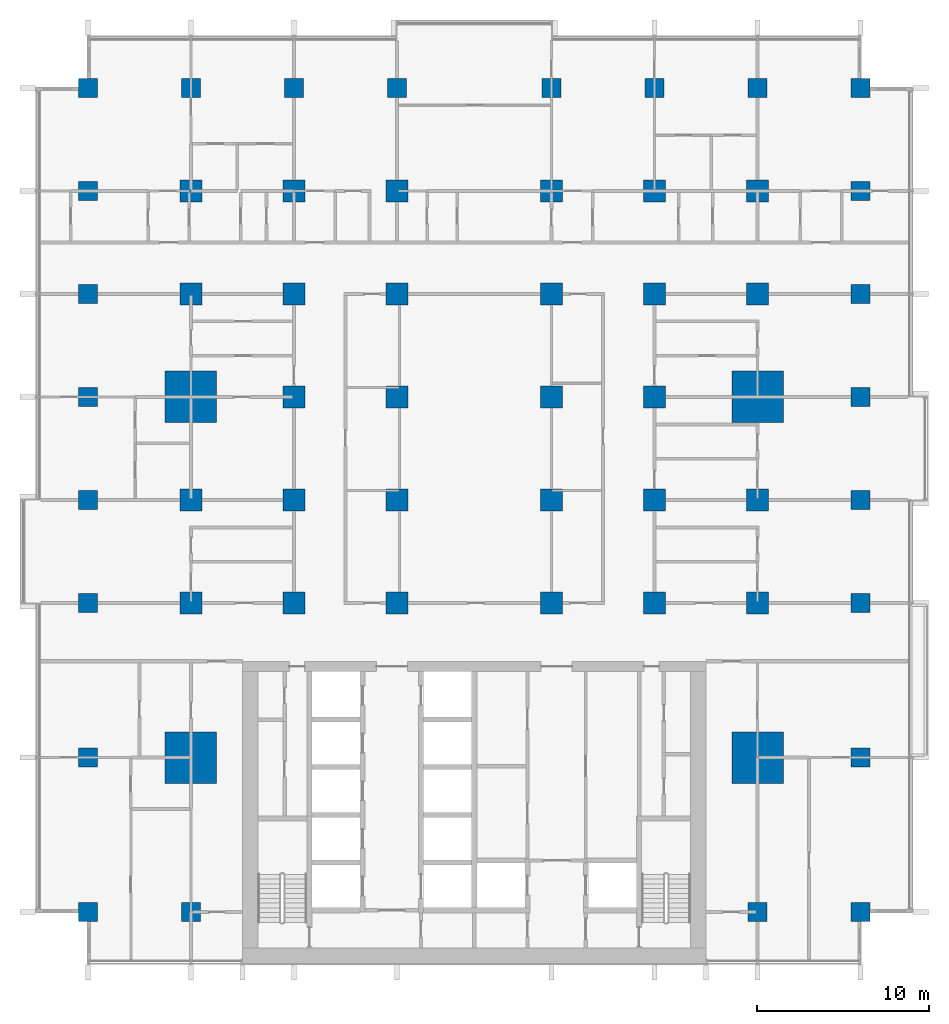
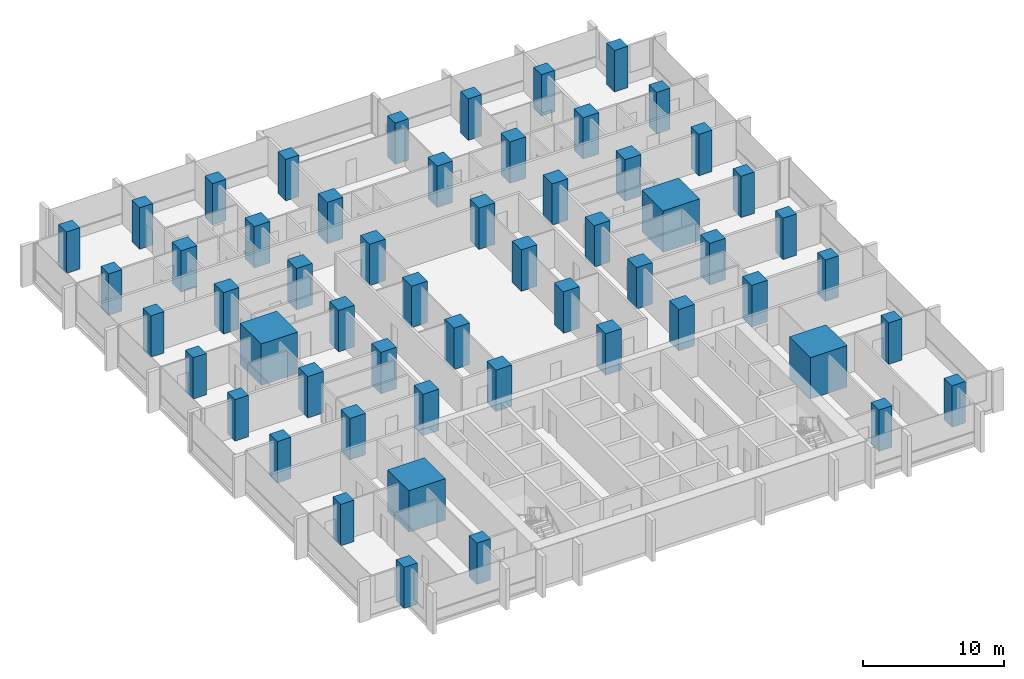
# One storey, part 1 of 18: 56 columns.
"""IFC4 building model written with IfcOpenShell, lengths in metres."""

from ifc_helpers import new_model, si_unit, direction, frame, origin, origin_2d, place, context, subcontext, project, spatial, rectangle, extrude, material, material_profile, profile_set, type_object, element, save


model = new_model("IFC4")

# Units and contexts
model_context = context("Model", 3, precision=1e-05, world=origin(), true_north=direction((0.0, 1.0)))
body_context = subcontext(model_context, "Body", "Model", "MODEL_VIEW")
ifc_project = project(units=[si_unit("LENGTHUNIT", "METRE"), si_unit("AREAUNIT", "SQUARE_METRE"), si_unit("VOLUMEUNIT", "CUBIC_METRE"), si_unit("PLANEANGLEUNIT", "RADIAN"), si_unit("MASSUNIT", "GRAM", prefix="KILO")], contexts=[model_context])

# Site, building, storey
site_placement = place(None, origin())
site = spatial("IfcSite", under=ifc_project, at=site_placement, CompositionType="ELEMENT")
building_placement = place(site_placement, origin())
building = spatial("IfcBuilding", under=site, at=building_placement, Name="Finial Court Residences", CompositionType="ELEMENT")
storey_placement = place(building_placement, frame((0.0, 0.0, 50.5)))
storey = spatial("IfcBuildingStorey", under=building, at=storey_placement, Name="L11", CompositionType="ELEMENT", Elevation=50.5)

# Columns
ifc_material = material(Name="Concrete C80/95", Category="concrete")
ifc_material_profile_1 = material_profile(ifc_material, rectangle(XDim=1.300048828125, YDim=1.300048828125, at=origin_2d()), Name="1300x1300")
ifc_profile_set_1 = profile_set([ifc_material_profile_1], Name="Concrete C80/95")
column_type_1 = type_object("IfcColumnType", Name="Interior column 1300x1300 Concrete C80/95", PredefinedType="COLUMN", material=ifc_profile_set_1)
for number, where, z_axis, x_axis, name in (
    (1, (-16.5, -4.5, 0.0), (0.0, 0.0, 1.0), (1.0, 0.0, 0.0), "S:COL:L11:C4"),
    (2, (-16.5, 1.5, 0.0), (0.0, 0.0, 1.0), (1.0, 0.0, 0.0), "S:COL:L11:C5"),
    (3, (-16.5, 13.5, 0.0), (0.0, 0.0, 1.0), (1.0, 0.0, 0.0), "S:COL:L11:C7"),
    (4, (-16.5, 19.5, 0.0), (0.0, 0.0, 1.0), (1.0, 0.0, 0.0), "S:COL:L11:C8"),
    (5, (-10.5, -4.5, 0.0), (0.0, 0.0, 1.0), (1.0, 0.0, 0.0), "S:COL:L11:D4"),
    (6, (-10.5, 1.5, 0.0), (0.0, 0.0, 1.0), (1.0, 0.0, 0.0), "S:COL:L11:D5"),
    (7, (-10.5, 7.5, 0.0), (0.0, 0.0, 1.0), (1.0, 0.0, 0.0), "S:COL:L11:D6"),
    (8, (-10.5, 13.5, 0.0), (0.0, 0.0, 1.0), (1.0, 0.0, 0.0), "S:COL:L11:D7"),
    (9, (-10.5, 19.5, 0.0), (0.0, 0.0, 1.0), (1.0, 0.0, 0.0), "S:COL:L11:D8"),
    (10, (-4.5, -4.5, 0.0), (0.0, 0.0, 1.0), (1.0, 0.0, 0.0), "S:COL:L11:E4"),
    (11, (-4.5, 1.5, 0.0), (0.0, 0.0, 1.0), (1.0, 0.0, 0.0), "S:COL:L11:E5"),
    (12, (-4.5, 7.5, 0.0), (0.0, 0.0, 1.0), (1.0, 0.0, 0.0), "S:COL:L11:E6"),
    (13, (-4.5, 13.5, 0.0), (0.0, 0.0, 1.0), (1.0, 0.0, 0.0), "S:COL:L11:E7"),
    (14, (-4.5, 19.5, 0.0), (0.0, 0.0, 1.0), (1.0, 0.0, 0.0), "S:COL:L11:E8"),
    (15, (4.5, -4.5, 0.0), (0.0, 0.0, 1.0), (1.0, 0.0, 0.0), "S:COL:L11:F4"),
    (16, (4.5, 1.5, 0.0), (0.0, 0.0, 1.0), (1.0, 0.0, 0.0), "S:COL:L11:F5"),
    (17, (4.5, 7.5, 0.0), (0.0, 0.0, 1.0), (1.0, 0.0, 0.0), "S:COL:L11:F6"),
    (18, (4.5, 13.5, 0.0), (0.0, 0.0, 1.0), (1.0, 0.0, 0.0), "S:COL:L11:F7"),
    (19, (4.5, 19.5, 0.0), (0.0, 0.0, 1.0), (1.0, 0.0, 0.0), "S:COL:L11:F8"),
    (20, (10.5, -4.5, 0.0), (0.0, 0.0, 1.0), (1.0, 0.0, 0.0), "S:COL:L11:G4"),
    (21, (10.5, 1.5, 0.0), (0.0, 0.0, 1.0), (1.0, 0.0, 0.0), "S:COL:L11:G5"),
    (22, (10.5, 7.5, 0.0), (0.0, 0.0, 1.0), (1.0, 0.0, 0.0), "S:COL:L11:G6"),
    (23, (10.5, 13.5, 0.0), (0.0, 0.0, 1.0), (1.0, 0.0, 0.0), "S:COL:L11:G7"),
    (24, (10.5, 19.5, 0.0), (0.0, 0.0, 1.0), (1.0, 0.0, 0.0), "S:COL:L11:G8"),
    (25, (16.5, -4.5, 0.0), (0.0, 0.0, 1.0), (1.0, 0.0, 0.0), "S:COL:L11:H4"),
    (26, (16.5, 1.5, 0.0), (0.0, 0.0, 1.0), (1.0, 0.0, 0.0), "S:COL:L11:H5"),
    (27, (16.5, 13.5, 0.0), (0.0, 0.0, 1.0), (1.0, 0.0, 0.0), "S:COL:L11:H7"),
    (28, (16.5, 19.5, 0.0), (0.0, 0.0, 1.0), (1.0, 0.0, 0.0), "S:COL:L11:H8"),
):
    element("IfcColumn", number, at=place(storey_placement, frame(where, z_axis=z_axis, x_axis=x_axis)), inside=storey, type_object=column_type_1, Name=name, PredefinedType="COLUMN", context=body_context, shape_type="SweptSolid", body=[
        extrude(rectangle(XDim=1.300048828125, YDim=1.300048828125, at=origin_2d()), origin(), (0.0, 0.0, 1.0), 3.60009765625),
    ])
ifc_material_profile_2 = material_profile(ifc_material, rectangle(XDim=3.0, YDim=3.0, at=origin_2d()), Name="3000x3000")
ifc_profile_set_2 = profile_set([ifc_material_profile_2], Name="Concrete C80/95")
column_type_2 = type_object("IfcColumnType", Name="Mega column 3000x3000 Concrete C80/95", PredefinedType="COLUMN", material=ifc_profile_set_2)
for number, where, z_axis, x_axis, name in (
    (29, (-16.5, -13.5, 0.0), (0.0, 0.0, 1.0), (1.0, 0.0, 0.0), "S:COL:L11:C3"),
    (30, (-16.5, 7.5, 0.0), (0.0, 0.0, 1.0), (1.0, 0.0, 0.0), "S:COL:L11:C6"),
    (31, (16.5, -13.5, 0.0), (0.0, 0.0, 1.0), (1.0, 0.0, 0.0), "S:COL:L11:H3"),
    (32, (16.5, 7.5, 0.0), (0.0, 0.0, 1.0), (1.0, 0.0, 0.0), "S:COL:L11:H6"),
):
    element("IfcColumn", number, at=place(storey_placement, frame(where, z_axis=z_axis, x_axis=x_axis)), inside=storey, type_object=column_type_2, Name=name, PredefinedType="COLUMN", context=body_context, shape_type="SweptSolid", body=[
        extrude(rectangle(XDim=3.0, YDim=3.0, at=origin_2d()), origin(), (0.0, 0.0, 1.0), 3.60009765625),
    ])
ifc_material_profile_3 = material_profile(ifc_material, rectangle(XDim=1.10009765625, YDim=1.10009765625, at=origin_2d()), Name="1100x1100")
ifc_profile_set_3 = profile_set([ifc_material_profile_3], Name="Concrete C80/95")
column_type_3 = type_object("IfcColumnType", Name="Perimeter column 1100x1100 Concrete C80/95", PredefinedType="COLUMN", material=ifc_profile_set_3)
for number, where, z_axis, x_axis, name in (
    (33, (-22.5, -22.5, 0.0), (0.0, 0.0, 1.0), (1.0, 0.0, 0.0), "S:COL:L11:B2"),
    (34, (-22.5, -13.5, 0.0), (0.0, 0.0, 1.0), (1.0, 0.0, 0.0), "S:COL:L11:B3"),
    (35, (-22.5, -4.5, 0.0), (0.0, 0.0, 1.0), (1.0, 0.0, 0.0), "S:COL:L11:B4"),
    (36, (-22.5, 1.5, 0.0), (0.0, 0.0, 1.0), (1.0, 0.0, 0.0), "S:COL:L11:B5"),
    (37, (-22.5, 7.5, 0.0), (0.0, 0.0, 1.0), (1.0, 0.0, 0.0), "S:COL:L11:B6"),
    (38, (-22.5, 13.5, 0.0), (0.0, 0.0, 1.0), (1.0, 0.0, 0.0), "S:COL:L11:B7"),
    (39, (-22.5, 19.5, 0.0), (0.0, 0.0, 1.0), (1.0, 0.0, 0.0), "S:COL:L11:B8"),
    (40, (-22.5, 25.5, 0.0), (0.0, 0.0, 1.0), (1.0, 0.0, 0.0), "S:COL:L11:B9"),
    (41, (-16.5, -22.5, 0.0), (0.0, 0.0, 1.0), (1.0, 0.0, 0.0), "S:COL:L11:C2"),
    (42, (-16.5, 25.5, 0.0), (0.0, 0.0, 1.0), (1.0, 0.0, 0.0), "S:COL:L11:C9"),
    (43, (-10.5, 25.5, 0.0), (0.0, 0.0, 1.0), (1.0, 0.0, 0.0), "S:COL:L11:D9"),
    (44, (-4.5, 25.5, 0.0), (0.0, 0.0, 1.0), (1.0, 0.0, 0.0), "S:COL:L11:E9"),
    (45, (4.5, 25.5, 0.0), (0.0, 0.0, 1.0), (1.0, 0.0, 0.0), "S:COL:L11:F9"),
    (46, (10.5, 25.5, 0.0), (0.0, 0.0, 1.0), (1.0, 0.0, 0.0), "S:COL:L11:G9"),
    (47, (16.5, -22.5, 0.0), (0.0, 0.0, 1.0), (1.0, 0.0, 0.0), "S:COL:L11:H2"),
    (48, (16.5, 25.5, 0.0), (0.0, 0.0, 1.0), (1.0, 0.0, 0.0), "S:COL:L11:H9"),
    (49, (22.5, -22.5, 0.0), (0.0, 0.0, 1.0), (1.0, 0.0, 0.0), "S:COL:L11:I2"),
    (50, (22.5, -13.5, 0.0), (0.0, 0.0, 1.0), (1.0, 0.0, 0.0), "S:COL:L11:I3"),
    (51, (22.5, -4.5, 0.0), (0.0, 0.0, 1.0), (1.0, 0.0, 0.0), "S:COL:L11:I4"),
    (52, (22.5, 1.5, 0.0), (0.0, 0.0, 1.0), (1.0, 0.0, 0.0), "S:COL:L11:I5"),
    (53, (22.5, 7.5, 0.0), (0.0, 0.0, 1.0), (1.0, 0.0, 0.0), "S:COL:L11:I6"),
    (54, (22.5, 13.5, 0.0), (0.0, 0.0, 1.0), (1.0, 0.0, 0.0), "S:COL:L11:I7"),
    (55, (22.5, 19.5, 0.0), (0.0, 0.0, 1.0), (1.0, 0.0, 0.0), "S:COL:L11:I8"),
    (56, (22.5, 25.5, 0.0), (0.0, 0.0, 1.0), (1.0, 0.0, 0.0), "S:COL:L11:I9"),
):
    element("IfcColumn", number, at=place(storey_placement, frame(where, z_axis=z_axis, x_axis=x_axis)), inside=storey, type_object=column_type_3, Name=name, PredefinedType="COLUMN", context=body_context, shape_type="SweptSolid", body=[
        extrude(rectangle(XDim=1.10009765625, YDim=1.10009765625, at=origin_2d()), origin(), (0.0, 0.0, 1.0), 3.60009765625),
    ])

save(model, "model.ifc")
